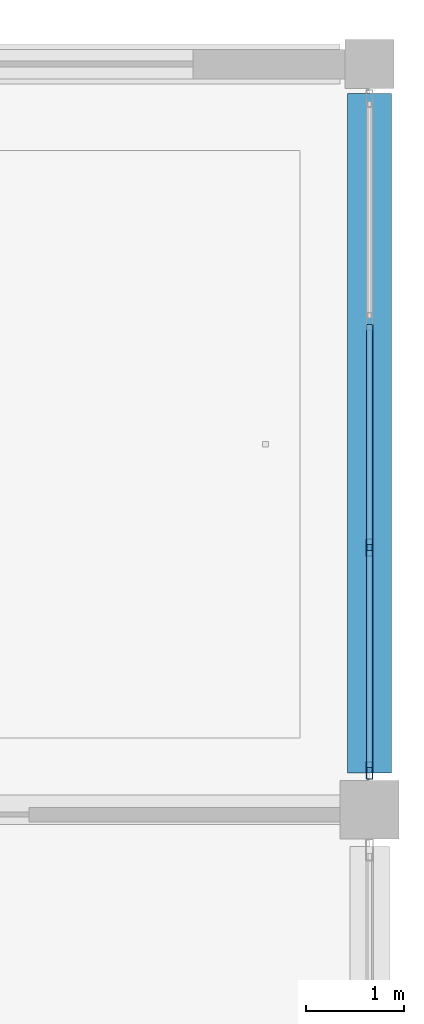
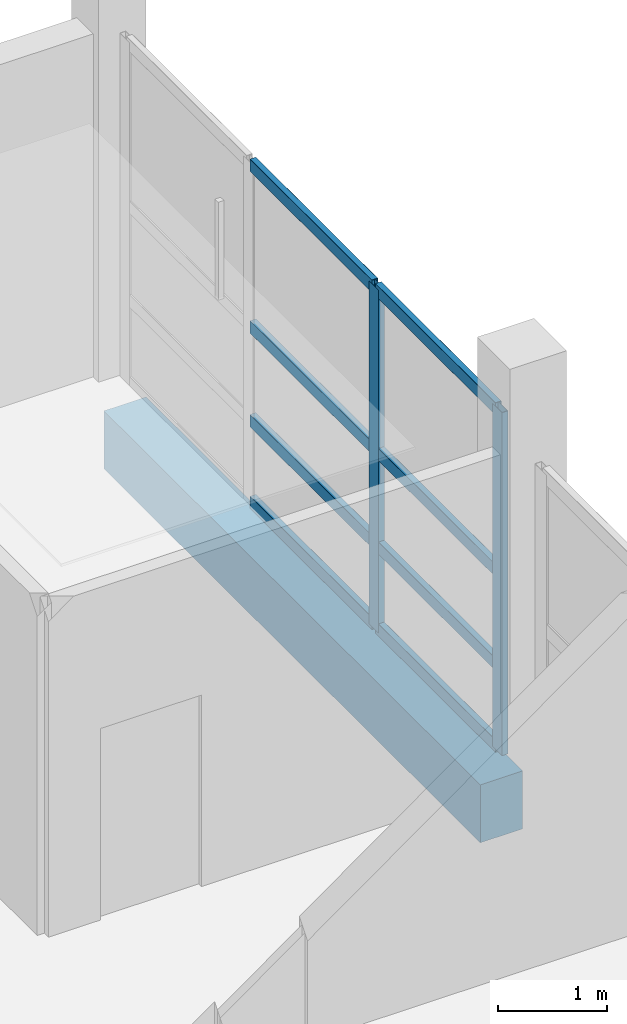
# One storey, part 65 of 147: 10 members, 1 beam, 1 element without a shape of its own.
"""IFC4 building model written with IfcOpenShell, lengths in metres."""

from ifc_helpers import new_model, si_unit, direction, frame, origin, origin_2d, place, context, subcontext, project, spatial, rectangle, hollow_rectangle, extrude, material, material_profile, profile_set, type_object, element, aggregate, save


model = new_model("IFC4")

# Units and contexts
model_context = context("Model", 3, precision=1e-05, world=origin(), true_north=direction((0.0, 1.0)))
body_context = subcontext(model_context, "Body", "Model", "MODEL_VIEW")
ifc_project = project(units=[si_unit("LENGTHUNIT", "METRE"), si_unit("AREAUNIT", "SQUARE_METRE"), si_unit("VOLUMEUNIT", "CUBIC_METRE"), si_unit("PLANEANGLEUNIT", "RADIAN"), si_unit("MASSUNIT", "GRAM", prefix="KILO")], contexts=[model_context])

# Site, building, storey
site_placement = place(None, origin())
site = spatial("IfcSite", under=ifc_project, at=site_placement, CompositionType="ELEMENT")
building_placement = place(site_placement, origin())
building = spatial("IfcBuilding", under=site, at=building_placement, Name="Khelvaren Railside Concert Hall", CompositionType="ELEMENT")
storey_placement = place(building_placement, frame((0.0, 0.0, 5.39990234375)))
storey = spatial("IfcBuildingStorey", under=building, at=storey_placement, Name="L01", CompositionType="ELEMENT", Elevation=5.39990234375)

# Curtain wall, members
ifc_material_1 = material(Name="Double-glazed low-E dark acoustic glass", Category="glass")
curtain_wall_type = type_object("IfcCurtainWallType", Name="CW69", PredefinedType="USERDEFINED", material=ifc_material_1)
curtain_wall_placement = place(storey_placement, origin())
curtain_wall = element("IfcCurtainWall", 1, at=curtain_wall_placement, inside=storey, type_object=curtain_wall_type, Name="Unitised Curtain Wall CW-V5-L01-E-106", ObjectType="UNITISED CURTAIN WALL", PredefinedType="USERDEFINED")
ifc_material_2 = material(Name="Anodised architectural aluminium 6063-T6", Category="aluminium")
ifc_material_profile_1 = material_profile(ifc_material_2, hollow_rectangle(XDim=0.06494140625, YDim=0.179931640625, WallThickness=0.00390625, InnerFilletRadius=0.001953125, OuterFilletRadius=0.00390625, at=origin_2d()), Name="CWM 65x180x4")
ifc_profile_set_1 = profile_set([ifc_material_profile_1], Name="Anodised architectural aluminium 6063-T6")
member_type_1 = type_object("IfcMemberType", Name="CWM63", PredefinedType="MULLION", material=ifc_profile_set_1)
member_1_placement = place(storey_placement, frame((184.0, 109.072509765625, 0.0), z_axis=(0.0, 0.0, 1.0), x_axis=(1.0, 0.0, 0.0)))
member_1 = element("IfcMember", 2, at=member_1_placement, type_object=member_type_1, Name="CW69 mullion 3", PredefinedType="MULLION", context=body_context, shape_type="SweptSolid", body=[
    extrude(hollow_rectangle(XDim=0.06494140625, YDim=0.179931640625, WallThickness=0.00390625, InnerFilletRadius=0.001953125, OuterFilletRadius=0.00390625, at=origin_2d()), origin(), (0.0, 0.0, 1.0), 3.85009765625),
])
member_2_placement = place(storey_placement, frame((184.0, 106.800048828125, 0.0), z_axis=(0.0, 0.0, 1.0), x_axis=(1.0, 0.0, 0.0)))
member_2 = element("IfcMember", 3, at=member_2_placement, type_object=member_type_1, Name="CW69 mullion 4", PredefinedType="MULLION", context=body_context, shape_type="SweptSolid", body=[
    extrude(hollow_rectangle(XDim=0.06494140625, YDim=0.179931640625, WallThickness=0.00390625, InnerFilletRadius=0.001953125, OuterFilletRadius=0.00390625, at=origin_2d()), origin(), (0.0, 0.0, 1.0), 3.85009765625),
])
ifc_material_profile_2 = material_profile(ifc_material_2, hollow_rectangle(XDim=0.06494140625, YDim=0.139892578125, WallThickness=0.00390625, InnerFilletRadius=0.001953125, OuterFilletRadius=0.00390625, at=origin_2d()), Name="CWT 65x140x4")
ifc_profile_set_2 = profile_set([ifc_material_profile_2], Name="Anodised architectural aluminium 6063-T6")
member_type_2 = type_object("IfcMemberType", Name="CWT72", PredefinedType="USERDEFINED", material=ifc_profile_set_2)
member_3_placement = place(storey_placement, frame((184.0, 111.344970703125, 0.03271484375), z_axis=(0.0, -1.0, 0.0), x_axis=(1.0, 0.0, 0.0)))
member_3 = element("IfcMember", 4, at=member_3_placement, type_object=member_type_2, Name="CW69 transom 2.1", ObjectType="TRANSOM", PredefinedType="USERDEFINED", context=body_context, shape_type="SweptSolid", body=[
    extrude(hollow_rectangle(XDim=0.06494140625, YDim=0.139892578125, WallThickness=0.00390625, InnerFilletRadius=0.001953125, OuterFilletRadius=0.00390625, at=origin_2d()), origin(), (0.0, 0.0, 1.0), 2.239990234375),
])
member_4_placement = place(storey_placement, frame((184.0, 111.344970703125, 0.9501953125), z_axis=(0.0, -1.0, 0.0), x_axis=(1.0, 0.0, 0.0)))
member_4 = element("IfcMember", 5, at=member_4_placement, type_object=member_type_2, Name="CW69 transom 2.2", ObjectType="TRANSOM", PredefinedType="USERDEFINED", context=body_context, shape_type="SweptSolid", body=[
    extrude(hollow_rectangle(XDim=0.06494140625, YDim=0.139892578125, WallThickness=0.00390625, InnerFilletRadius=0.001953125, OuterFilletRadius=0.00390625, at=origin_2d()), origin(), (0.0, 0.0, 1.0), 2.239990234375),
])
member_5_placement = place(storey_placement, frame((184.0, 111.344970703125, 2.002197265625), z_axis=(0.0, -1.0, 0.0), x_axis=(1.0, 0.0, 0.0)))
member_5 = element("IfcMember", 6, at=member_5_placement, type_object=member_type_2, Name="CW69 transom 2.3", ObjectType="TRANSOM", PredefinedType="USERDEFINED", context=body_context, shape_type="SweptSolid", body=[
    extrude(hollow_rectangle(XDim=0.06494140625, YDim=0.139892578125, WallThickness=0.00390625, InnerFilletRadius=0.001953125, OuterFilletRadius=0.00390625, at=origin_2d()), origin(), (0.0, 0.0, 1.0), 2.239990234375),
])
member_6_placement = place(storey_placement, frame((184.0, 111.344970703125, 3.817626953125), z_axis=(0.0, -1.0, 0.0), x_axis=(1.0, 0.0, 0.0)))
member_6 = element("IfcMember", 7, at=member_6_placement, type_object=member_type_2, Name="CW69 transom 2.4", ObjectType="TRANSOM", PredefinedType="USERDEFINED", context=body_context, shape_type="SweptSolid", body=[
    extrude(hollow_rectangle(XDim=0.06494140625, YDim=0.139892578125, WallThickness=0.00390625, InnerFilletRadius=0.001953125, OuterFilletRadius=0.00390625, at=origin_2d()), origin(), (0.0, 0.0, 1.0), 2.239990234375),
])
member_7_placement = place(storey_placement, frame((184.0, 109.0400390625, 0.03271484375), z_axis=(0.0, -1.0, 0.0), x_axis=(1.0, 0.0, 0.0)))
member_7 = element("IfcMember", 8, at=member_7_placement, type_object=member_type_2, Name="CW69 transom 3.1", ObjectType="TRANSOM", PredefinedType="USERDEFINED", context=body_context, shape_type="SweptSolid", body=[
    extrude(hollow_rectangle(XDim=0.06494140625, YDim=0.139892578125, WallThickness=0.00390625, InnerFilletRadius=0.001953125, OuterFilletRadius=0.00390625, at=origin_2d()), origin(), (0.0, 0.0, 1.0), 2.20751953125),
])
member_8_placement = place(storey_placement, frame((184.0, 109.0400390625, 0.9501953125), z_axis=(0.0, -1.0, 0.0), x_axis=(1.0, 0.0, 0.0)))
member_8 = element("IfcMember", 9, at=member_8_placement, type_object=member_type_2, Name="CW69 transom 3.2", ObjectType="TRANSOM", PredefinedType="USERDEFINED", context=body_context, shape_type="SweptSolid", body=[
    extrude(hollow_rectangle(XDim=0.06494140625, YDim=0.139892578125, WallThickness=0.00390625, InnerFilletRadius=0.001953125, OuterFilletRadius=0.00390625, at=origin_2d()), origin(), (0.0, 0.0, 1.0), 2.20751953125),
])
member_9_placement = place(storey_placement, frame((184.0, 109.0400390625, 2.002197265625), z_axis=(0.0, -1.0, 0.0), x_axis=(1.0, 0.0, 0.0)))
member_9 = element("IfcMember", 10, at=member_9_placement, type_object=member_type_2, Name="CW69 transom 3.3", ObjectType="TRANSOM", PredefinedType="USERDEFINED", context=body_context, shape_type="SweptSolid", body=[
    extrude(hollow_rectangle(XDim=0.06494140625, YDim=0.139892578125, WallThickness=0.00390625, InnerFilletRadius=0.001953125, OuterFilletRadius=0.00390625, at=origin_2d()), origin(), (0.0, 0.0, 1.0), 2.20751953125),
])
member_10_placement = place(storey_placement, frame((184.0, 109.0400390625, 3.817626953125), z_axis=(0.0, -1.0, 0.0), x_axis=(1.0, 0.0, 0.0)))
member_10 = element("IfcMember", 11, at=member_10_placement, type_object=member_type_2, Name="CW69 transom 3.4", ObjectType="TRANSOM", PredefinedType="USERDEFINED", context=body_context, shape_type="SweptSolid", body=[
    extrude(hollow_rectangle(XDim=0.06494140625, YDim=0.139892578125, WallThickness=0.00390625, InnerFilletRadius=0.001953125, OuterFilletRadius=0.00390625, at=origin_2d()), origin(), (0.0, 0.0, 1.0), 2.20751953125),
])
aggregate(curtain_wall, [member_1, member_2, member_3, member_4, member_5, member_6, member_7, member_8, member_9, member_10])

# Beam
ifc_material_3 = material(Name="Concrete C40/50", Category="concrete")
ifc_material_profile_3 = material_profile(ifc_material_3, rectangle(XDim=0.449951171875, YDim=0.64990234375, at=origin_2d()), Name="RCB 450x650")
ifc_profile_set_3 = profile_set([ifc_material_profile_3], Name="Concrete C40/50")
beam_type = type_object("IfcBeamType", Name="SP34", PredefinedType="SPANDREL", material=ifc_profile_set_3)
beam_placement = place(storey_placement, frame((184.0, 106.77490234375, -0.625), z_axis=(0.0, 1.0, 0.0), x_axis=(-1.0, 0.0, 0.0)))
element("IfcBeam", 12, at=beam_placement, inside=storey, type_object=beam_type, Name="V5 L01 Spandrel Y8.4", PredefinedType="SPANDREL", context=body_context, shape_type="SweptSolid", body=[
    extrude(rectangle(XDim=0.449951171875, YDim=0.64990234375, at=origin_2d()), origin(), (0.0, 0.0, 1.0), 6.925048828125),
])

save(model, "model.ifc")
